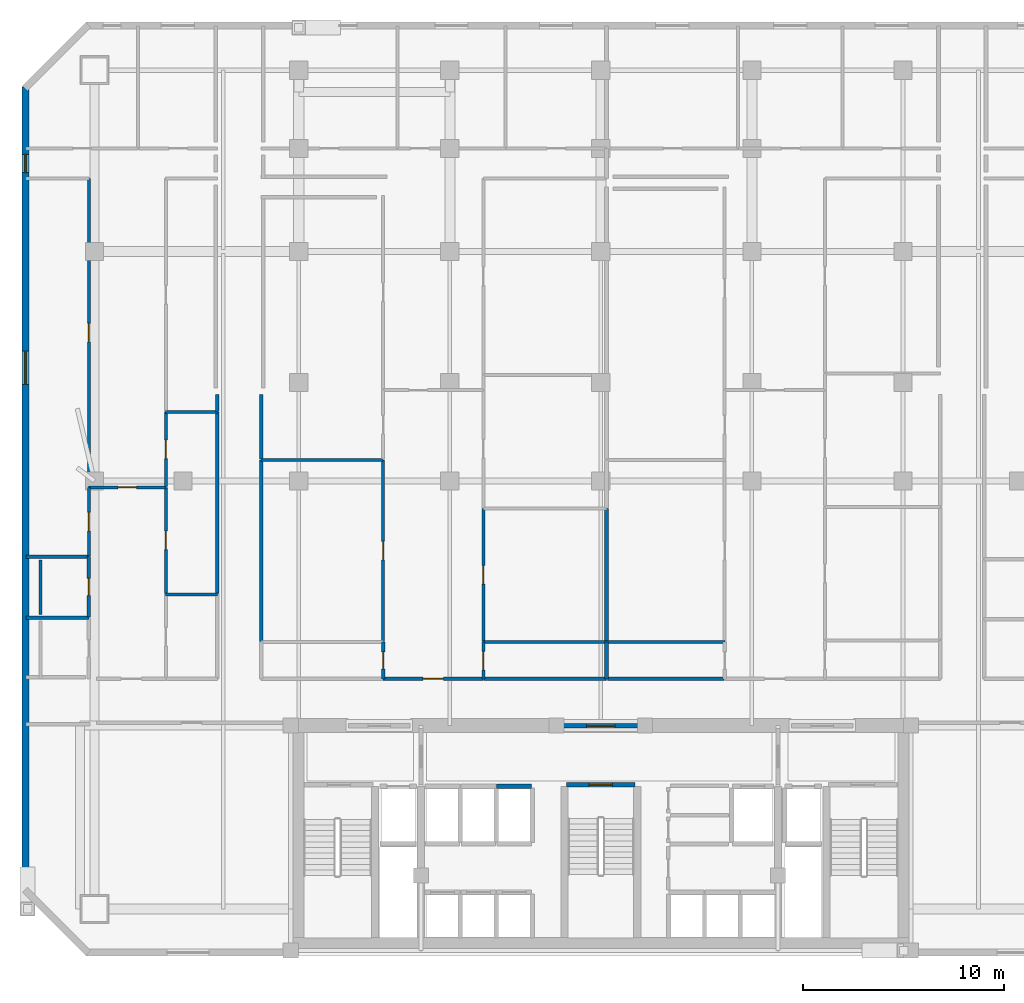
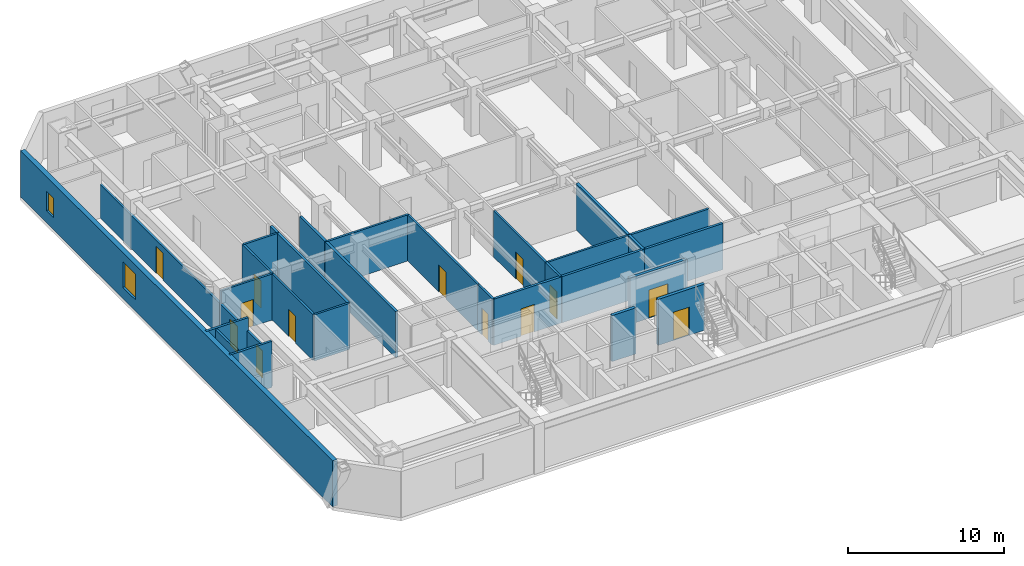
# One storey, part 4 of 10: 31 walls, 13 doors, 2 windows, 15 openings.
"""IFC4 building model written with IfcOpenShell, lengths in metres."""

from ifc_helpers import new_model, si_unit, direction, frame, frame_2d, origin, place, context, subcontext, project, spatial, rectangle, extrude, material, layer, layer_set, type_object, element, fill, save


model = new_model("IFC4")

# Units and contexts
model_context = context("Model", 3, precision=1e-05, world=origin(), true_north=direction((0.0, 1.0)))
body_context = subcontext(model_context, "Body", "Model", "MODEL_VIEW")
ifc_project = project(units=[si_unit("LENGTHUNIT", "METRE"), si_unit("AREAUNIT", "SQUARE_METRE"), si_unit("VOLUMEUNIT", "CUBIC_METRE"), si_unit("PLANEANGLEUNIT", "RADIAN"), si_unit("MASSUNIT", "GRAM", prefix="KILO")], contexts=[model_context])

# Site, building, storey
site_placement = place(None, origin())
site = spatial("IfcSite", under=ifc_project, at=site_placement, CompositionType="ELEMENT")
building_placement = place(site_placement, origin())
building = spatial("IfcBuilding", under=site, at=building_placement, Name="Ventersveld Concourse Tower", CompositionType="ELEMENT")
storey_placement = place(building_placement, frame((0.0, 0.0, 88.75)))
storey = spatial("IfcBuildingStorey", under=building, at=storey_placement, Name="L21", CompositionType="ELEMENT", Elevation=88.75)

# Walls
ifc_material_1 = material(Name="Fire-rated autoclaved aerated masonry blockwork", Category="masonry")
ifc_layer_1 = layer(ifc_material_1, 0.179931640625)
ifc_layer_set_1 = layer_set([ifc_layer_1], Name="Fire-rated autoclaved aerated masonry blockwork")
wall_type_1 = type_object("IfcWallType", Name="WL-CORR-180", PredefinedType="PARTITIONING", material=ifc_layer_set_1)
wall_1_placement = place(storey_placement, frame((9.7099609375, 18.009765625, 0.0), z_axis=(0.0, 0.0, 1.0), x_axis=(0.0, 1.0, 0.0)))
element("IfcWall", 1, at=wall_1_placement, inside=storey, type_object=wall_type_1, Name="L21 Interior Partition SP-L21-COR-SP-L21-21NW-DENR", PredefinedType="PARTITIONING", context=body_context, shape_type="SweptSolid", body=[
    extrude(rectangle(XDim=9.024169921875, YDim=0.179931640625, at=frame_2d((4.51220703125, 0.0))), origin(), (0.0, 0.0, 1.0), 3.60009765625),
])
wall_2_placement = place(storey_placement, frame((9.7099609375, 27.06396484375, 0.0), z_axis=(0.0, 0.0, 1.0), x_axis=(0.0, 1.0, 0.0)))
element("IfcWall", 2, at=wall_2_placement, inside=storey, type_object=wall_type_1, Name="L21 Interior Partition SP-L21-COR-SP-L21-21NW-DENS", PredefinedType="PARTITIONING", context=body_context, shape_type="SweptSolid", body=[
    extrude(rectangle(XDim=0.8310546875, YDim=0.179931640625, at=frame_2d((0.41552734375, 0.0))), origin(), (0.0, 0.0, 1.0), 3.60009765625),
])

# Wall, opening, door
wall_3_placement = place(storey_placement, frame((17.93310546875, 13.77001953125, 0.0), z_axis=(0.0, 0.0, 1.0), x_axis=(1.0, 0.0, 0.0)))
wall_3 = element("IfcWall", 3, at=wall_3_placement, inside=storey, type_object=wall_type_1, Name="L21 Interior Partition SP-L21-COR-SP-L21-21N1-FOY", PredefinedType="PARTITIONING", context=body_context, shape_type="SweptSolid", body=[
    extrude(rectangle(XDim=4.989990234375, YDim=0.179931640625, at=frame_2d((2.4951171875, 0.0))), origin(), (0.0, 0.0, 1.0), 3.60009765625),
])
opening_1_placement = place(wall_3_placement, frame((1.9951171875, 0.0, 0.0)))
opening_1 = element("IfcOpeningElement", 4, at=opening_1_placement, cuts=wall_3, Name="Opening FD3", PredefinedType="OPENING", context=body_context, shape_type="SweptSolid", body=[
    extrude(rectangle(XDim=1.0, YDim=2.14990234375, at=frame_2d((0.5, 1.074951171875))), frame((0.0, 0.10009765625, 0.0), z_axis=(0.0, -1.0, 0.0), x_axis=(1.0, 0.0, 0.0)), (0.0, 0.0, 1.0), 0.199951171875),
])
ifc_material_2 = material(Name="Solid-core hardwood veneer timber", Category="wood")
door_type_1 = type_object("IfcDoorType", Name="DR-FLAT-100", OperationType="NOTDEFINED", PredefinedType="DOOR", material=ifc_material_2)
door_1_placement = place(opening_1_placement, origin())
door_1 = element("IfcDoor", 5, at=door_1_placement, inside=storey, type_object=door_type_1, Name="L21 Interior Door SP-L21-COR to SP-L21-21N1-FOY (FD-L21-1012)", OperationType="SINGLE_SWING_RIGHT", OverallHeight=2.14990234375, OverallWidth=1.0, PredefinedType="DOOR", context=body_context, shape_type="SweptSolid", body=[
    extrude(rectangle(XDim=1.0, YDim=2.14990234375, at=frame_2d((0.5, 1.074951171875))), frame((0.0, 0.02490234375, 0.0), z_axis=(0.0, -1.0, 0.0), x_axis=(1.0, 0.0, 0.0)), (0.0, 0.0, 1.0), 0.050048828125),
])
fill(opening_1, door_1)

# Walls
wall_4_placement = place(storey_placement, frame((11.889892578125, 15.635009765625, 0.0), z_axis=(0.0, 0.0, 1.0), x_axis=(0.0, 1.0, 0.0)))
element("IfcWall", 6, at=wall_4_placement, inside=storey, type_object=wall_type_1, Name="L21 Interior Partition SP-L21-COR-SP-L21-21N1-DENL", PredefinedType="PARTITIONING", context=body_context, shape_type="SweptSolid", body=[
    extrude(rectangle(XDim=9.019775390625, YDim=0.179931640625, at=frame_2d((4.509765625, 0.0))), origin(), (0.0, 0.0, 1.0), 3.60009765625),
])
wall_5_placement = place(storey_placement, frame((11.889892578125, 24.684814453125, 0.0), z_axis=(0.0, 0.0, 1.0), x_axis=(0.0, 1.0, 0.0)))
element("IfcWall", 7, at=wall_5_placement, inside=storey, type_object=wall_type_1, Name="L21 Interior Partition SP-L21-COR-SP-L21-21N1-DENL2", PredefinedType="PARTITIONING", context=body_context, shape_type="SweptSolid", body=[
    extrude(rectangle(XDim=3.210205078125, YDim=0.179931640625, at=frame_2d((1.60498046875, 0.0))), origin(), (0.0, 0.0, 1.0), 3.60009765625),
])
wall_6_placement = place(storey_placement, frame((22.953125, 13.77001953125, 0.0), z_axis=(0.0, 0.0, 1.0), x_axis=(1.0, 0.0, 0.0)))
element("IfcWall", 8, at=wall_6_placement, inside=storey, type_object=wall_type_1, Name="L21 Interior Partition SP-L21-COR-SP-L21-21N1-KIT", PredefinedType="PARTITIONING", context=body_context, shape_type="SweptSolid", body=[
    extrude(rectangle(XDim=6.0888671875, YDim=0.179931640625, at=frame_2d((3.04443359375, 0.0))), origin(), (0.0, 0.0, 1.0), 3.60009765625),
])
wall_7_placement = place(storey_placement, frame((29.072021484375, 13.77001953125, 0.0), z_axis=(0.0, 0.0, 1.0), x_axis=(1.0, 0.0, 0.0)))
element("IfcWall", 9, at=wall_7_placement, inside=storey, type_object=wall_type_1, Name="L21 Interior Partition SP-L21-COR-SP-L21-21N2-BATH", PredefinedType="PARTITIONING", context=body_context, shape_type="SweptSolid", body=[
    extrude(rectangle(XDim=5.794677734375, YDim=0.179931640625, at=frame_2d((2.8974609375, 0.0))), origin(), (0.0, 0.0, 1.0), 3.60009765625),
])
ifc_layer_2 = layer(ifc_material_1, 0.199951171875)
ifc_layer_set_2 = layer_set([ifc_layer_2], Name="Fire-rated autoclaved aerated masonry blockwork")
wall_type_2 = type_object("IfcWallType", Name="WL-DEMISE-200", PredefinedType="PARTITIONING", material=ifc_layer_set_2)
wall_8_placement = place(storey_placement, frame((29.036865234375, 13.764892578125, 0.0), z_axis=(0.0, 0.0, 1.0), x_axis=(0.0, 1.0, 0.0)))
element("IfcWall", 10, at=wall_8_placement, inside=storey, type_object=wall_type_2, Name="L21 Interior Partition SP-L21-21N1-KIT-SP-L21-21N2-BATH", PredefinedType="PARTITIONING", context=body_context, shape_type="SweptSolid", body=[
    extrude(rectangle(XDim=1.840087890625, YDim=0.199951171875, at=frame_2d((0.919921875, 0.0))), origin(), (0.0, 0.0, 1.0), 3.60009765625),
])
wall_9_placement = place(storey_placement, frame((29.036865234375, 15.635009765625, 0.0), z_axis=(0.0, 0.0, 1.0), x_axis=(0.0, 1.0, 0.0)))
element("IfcWall", 11, at=wall_9_placement, inside=storey, type_object=wall_type_2, Name="L21 Interior Partition SP-L21-21N1-DENR-SP-L21-21N2-DENL", PredefinedType="PARTITIONING", context=body_context, shape_type="SweptSolid", body=[
    extrude(rectangle(XDim=6.602783203125, YDim=0.199951171875, at=frame_2d((3.30126953125, 0.0))), origin(), (0.0, 0.0, 1.0), 3.60009765625),
])
ifc_layer_3 = layer(ifc_material_1, 0.219970703125)
ifc_layer_set_3 = layer_set([ifc_layer_3], Name="Fire-rated autoclaved aerated masonry blockwork")
wall_type_3 = type_object("IfcWallType", Name="WL-HOIST-220", PredefinedType="SOLIDWALL", material=ifc_layer_set_3)
wall_10_placement = place(storey_placement, frame((23.580078125, 8.429931640625, 0.0), z_axis=(0.0, 0.0, 1.0), x_axis=(1.0, 0.0, 0.0)))
element("IfcWall", 12, at=wall_10_placement, inside=storey, type_object=wall_type_3, Name="L21 Lift Hoistway Front Wall PH-03", PredefinedType="SOLIDWALL", context=body_context, shape_type="SweptSolid", body=[
    extrude(rectangle(XDim=1.739990234375, YDim=0.219970703125, at=frame_2d((0.8701171875, 0.0))), origin(), (0.0, 0.0, 1.0), 3.60009765625),
])

# Wall, opening, door
wall_11_placement = place(storey_placement, frame((27.0400390625, 8.52001953125, 0.0), z_axis=(0.0, 0.0, 1.0), x_axis=(1.0, 0.0, 0.0)))
wall_11 = element("IfcWall", 13, at=wall_11_placement, inside=storey, type_object=wall_type_3, Name="L21 Escape Stair ST03 Fire Wall", PredefinedType="SOLIDWALL", context=body_context, shape_type="SweptSolid", body=[
    extrude(rectangle(XDim=3.419921875, YDim=0.219970703125, at=frame_2d((1.7099609375, 0.0))), origin(), (0.0, 0.0, 1.0), 3.60009765625),
])
opening_2_placement = place(wall_11_placement, frame((1.135009765625, 0.0, 0.0)))
opening_2 = element("IfcOpeningElement", 14, at=opening_2_placement, cuts=wall_11, Name="Opening FD1", PredefinedType="OPENING", context=body_context, shape_type="SweptSolid", body=[
    extrude(rectangle(XDim=1.14990234375, YDim=2.199951171875, at=frame_2d((0.574951171875, 1.10009765625))), frame((0.0, 0.1201171875, 0.0), z_axis=(0.0, -1.0, 0.0), x_axis=(1.0, 0.0, 0.0)), (0.0, 0.0, 1.0), 0.239990234375),
])
ifc_material_3 = material(Name="Galvanised painted steel", Category="steel")
door_type_2 = type_object("IfcDoorType", Name="DR-STAIR-115", OperationType="NOTDEFINED", PredefinedType="DOOR", material=ifc_material_3)
door_2_placement = place(opening_2_placement, origin())
door_2 = element("IfcDoor", 15, at=door_2_placement, inside=storey, type_object=door_type_2, Name="L21 Escape Stair Door ST03 (SD-L21-0999)", OperationType="SINGLE_SWING_LEFT", OverallHeight=2.199951171875, OverallWidth=1.14990234375, PredefinedType="DOOR", context=body_context, shape_type="SweptSolid", body=[
    extrude(rectangle(XDim=1.14990234375, YDim=2.199951171875, at=frame_2d((0.574951171875, 1.10009765625))), frame((0.0, 0.02490234375, 0.0), z_axis=(0.0, -1.0, 0.0), x_axis=(1.0, 0.0, 0.0)), (0.0, 0.0, 1.0), 0.050048828125),
])
fill(opening_2, door_2)

wall_12_placement = place(storey_placement, frame((26.6298828125, 11.449951171875, 0.0), z_axis=(0.0, 0.0, 1.0), x_axis=(1.0, 0.0, 0.0)))
wall_12 = element("IfcWall", 16, at=wall_12_placement, inside=storey, type_object=wall_type_3, Name="L21 Core North Fire Portal PLOB-OUT", PredefinedType="SOLIDWALL", context=body_context, shape_type="SweptSolid", body=[
    extrude(rectangle(XDim=4.240234375, YDim=0.219970703125, at=frame_2d((2.1201171875, 0.0))), origin(), (0.0, 0.0, 1.0), 3.60009765625),
])
opening_3_placement = place(wall_12_placement, frame((1.419921875, 0.0, 0.0)))
opening_3 = element("IfcOpeningElement", 17, at=opening_3_placement, cuts=wall_12, Name="Opening FD4", PredefinedType="OPENING", context=body_context, shape_type="SweptSolid", body=[
    extrude(rectangle(XDim=1.39990234375, YDim=2.199951171875, at=frame_2d((0.699951171875, 1.10009765625))), frame((0.0, 0.1201171875, 0.0), z_axis=(0.0, -1.0, 0.0), x_axis=(1.0, 0.0, 0.0)), (0.0, 0.0, 1.0), 0.239990234375),
])
door_type_3 = type_object("IfcDoorType", Name="DR-PLANT-140", OperationType="DOUBLE_DOOR_SINGLE_SWING", PredefinedType="DOOR", material=ifc_material_3)
door_3_placement = place(opening_3_placement, origin())
door_3 = element("IfcDoor", 18, at=door_3_placement, inside=storey, type_object=door_type_3, Name="L21 Core Lobby Fire Door PLOB-OUT (FD-L21-1003)", OperationType="DOUBLE_DOOR_SINGLE_SWING", OverallHeight=2.199951171875, OverallWidth=1.39990234375, PredefinedType="DOOR", context=body_context, shape_type="SweptSolid", body=[
    extrude(rectangle(XDim=1.39990234375, YDim=2.199951171875, at=frame_2d((0.699951171875, 1.10009765625))), frame((0.0, 0.02490234375, 0.0), z_axis=(0.0, -1.0, 0.0), x_axis=(1.0, 0.0, 0.0)), (0.0, 0.0, 1.0), 0.050048828125),
])
fill(opening_3, door_3)

ifc_material_4 = material(Name="Autoclaved aerated masonry blockwork", Category="masonry")
ifc_layer_4 = layer(ifc_material_4, 0.14990234375)
ifc_layer_set_4 = layer_set([ifc_layer_4], Name="Autoclaved aerated masonry blockwork")
wall_type_4 = type_object("IfcWallType", Name="WL-INT-150", PredefinedType="PARTITIONING", material=ifc_layer_set_4)
wall_13_placement = place(storey_placement, frame((3.31787109375, 23.2822265625, 0.0), z_axis=(0.0, 0.0, 1.0), x_axis=(1.0, 0.0, 0.0)))
wall_13 = element("IfcWall", 19, at=wall_13_placement, inside=storey, type_object=wall_type_4, Name="L21 Interior Partition SP-L21-21NW-FOY-SP-L21-21NW-LIV", PredefinedType="PARTITIONING", context=body_context, shape_type="SweptSolid", body=[
    extrude(rectangle(XDim=3.83203125, YDim=0.14990234375, at=frame_2d((1.916015625, 0.0))), origin(), (0.0, 0.0, 1.0), 3.60009765625),
])
opening_4_placement = place(wall_13_placement, frame((1.4560546875, 0.0, 0.0)))
opening_4 = element("IfcOpeningElement", 20, at=opening_4_placement, cuts=wall_13, Name="Opening ID1", PredefinedType="OPENING", context=body_context, shape_type="SweptSolid", body=[
    extrude(rectangle(XDim=0.919921875, YDim=2.10009765625, at=frame_2d((0.4599609375, 1.050048828125))), frame((0.0, 0.0849609375, 0.0), z_axis=(0.0, -1.0, 0.0), x_axis=(1.0, 0.0, 0.0)), (0.0, 0.0, 1.0), 0.169921875),
])
door_type_4 = type_object("IfcDoorType", Name="DR-ROOM-092", OperationType="NOTDEFINED", PredefinedType="DOOR", material=ifc_material_2)
door_4_placement = place(opening_4_placement, origin())
door_4 = element("IfcDoor", 21, at=door_4_placement, inside=storey, type_object=door_type_4, Name="L21 Interior Door SP-L21-21NW-FOY to SP-L21-21NW-LIV (D-L21-1014)", OperationType="SINGLE_SWING_RIGHT", OverallHeight=2.10009765625, OverallWidth=0.919921875, PredefinedType="DOOR", context=body_context, shape_type="SweptSolid", body=[
    extrude(rectangle(XDim=0.919921875, YDim=2.10009765625, at=frame_2d((0.4599609375, 1.050048828125))), frame((0.0, 0.02490234375, 0.0), z_axis=(0.0, -1.0, 0.0), x_axis=(1.0, 0.0, 0.0)), (0.0, 0.0, 1.0), 0.050048828125),
])
fill(opening_4, door_4)

wall_14_placement = place(storey_placement, frame((3.32275390625, 19.872314453125, 0.0), z_axis=(0.0, 0.0, 1.0), x_axis=(0.0, 1.0, 0.0)))
wall_14 = element("IfcWall", 22, at=wall_14_placement, inside=storey, type_object=wall_type_4, Name="L21 Interior Partition SP-L21-21NW-FOY-SP-L21-21NW-DENL", PredefinedType="PARTITIONING", context=body_context, shape_type="SweptSolid", body=[
    extrude(rectangle(XDim=3.414794921875, YDim=0.14990234375, at=frame_2d((1.70751953125, 0.0))), origin(), (0.0, 0.0, 1.0), 2.60009765625),
])
opening_5_placement = place(wall_14_placement, frame((1.247314453125, 0.0, 0.0)))
opening_5 = element("IfcOpeningElement", 23, at=opening_5_placement, cuts=wall_14, Name="Opening ID1", PredefinedType="OPENING", context=body_context, shape_type="SweptSolid", body=[
    extrude(rectangle(XDim=0.919921875, YDim=2.10009765625, at=frame_2d((0.4599609375, 1.050048828125))), frame((0.0, 0.0849609375, 0.0), z_axis=(0.0, -1.0, 0.0), x_axis=(1.0, 0.0, 0.0)), (0.0, 0.0, 1.0), 0.169921875),
])
door_5_placement = place(opening_5_placement, origin())
door_5 = element("IfcDoor", 24, at=door_5_placement, inside=storey, type_object=door_type_4, Name="L21 Interior Door SP-L21-21NW-FOY to SP-L21-21NW-DENL (D-L21-1017)", OperationType="SINGLE_SWING_LEFT", OverallHeight=2.10009765625, OverallWidth=0.919921875, PredefinedType="DOOR", context=body_context, shape_type="SweptSolid", body=[
    extrude(rectangle(XDim=0.919921875, YDim=2.10009765625, at=frame_2d((0.4599609375, 1.050048828125))), frame((0.0, 0.02490234375, 0.0), z_axis=(0.0, -1.0, 0.0), x_axis=(1.0, 0.0, 0.0)), (0.0, 0.0, 1.0), 0.050048828125),
])
fill(opening_5, door_5)

wall_15_placement = place(storey_placement, frame((7.144775390625, 18.009765625, 0.0), z_axis=(0.0, 0.0, 1.0), x_axis=(0.0, 1.0, 0.0)))
wall_15 = element("IfcWall", 25, at=wall_15_placement, inside=storey, type_object=wall_type_4, Name="L21 Interior Partition SP-L21-21NW-FOY-SP-L21-21NW-DENR", PredefinedType="PARTITIONING", context=body_context, shape_type="SweptSolid", body=[
    extrude(rectangle(XDim=5.27734375, YDim=0.14990234375, at=frame_2d((2.638671875, 0.0))), origin(), (0.0, 0.0, 1.0), 3.60009765625),
])
opening_6_placement = place(wall_15_placement, frame((2.1787109375, 0.0, 0.0)))
opening_6 = element("IfcOpeningElement", 26, at=opening_6_placement, cuts=wall_15, Name="Opening ID1", PredefinedType="OPENING", context=body_context, shape_type="SweptSolid", body=[
    extrude(rectangle(XDim=0.919921875, YDim=2.10009765625, at=frame_2d((0.4599609375, 1.050048828125))), frame((0.0, 0.0849609375, 0.0), z_axis=(0.0, -1.0, 0.0), x_axis=(1.0, 0.0, 0.0)), (0.0, 0.0, 1.0), 0.169921875),
])
door_6_placement = place(opening_6_placement, origin())
door_6 = element("IfcDoor", 27, at=door_6_placement, inside=storey, type_object=door_type_4, Name="L21 Interior Door SP-L21-21NW-FOY to SP-L21-21NW-DENR (D-L21-1019)", OperationType="SINGLE_SWING_LEFT", OverallHeight=2.10009765625, OverallWidth=0.919921875, PredefinedType="DOOR", context=body_context, shape_type="SweptSolid", body=[
    extrude(rectangle(XDim=0.919921875, YDim=2.10009765625, at=frame_2d((0.4599609375, 1.050048828125))), frame((0.0, 0.02490234375, 0.0), z_axis=(0.0, -1.0, 0.0), x_axis=(1.0, 0.0, 0.0)), (0.0, 0.0, 1.0), 0.050048828125),
])
fill(opening_6, door_6)

wall_16_placement = place(storey_placement, frame((3.32275390625, 23.317138671875, 0.0), z_axis=(0.0, 0.0, 1.0), x_axis=(0.0, 1.0, 0.0)))
wall_16 = element("IfcWall", 28, at=wall_16_placement, inside=storey, type_object=wall_type_4, Name="L21 Interior Partition SP-L21-21NW-LIV-SP-L21-21NW-DENL", PredefinedType="PARTITIONING", context=body_context, shape_type="SweptSolid", body=[
    extrude(rectangle(XDim=15.307861328125, YDim=0.14990234375, at=frame_2d((7.65380859375, 0.0))), origin(), (0.0, 0.0, 1.0), 2.60009765625),
])
opening_7_placement = place(wall_16_placement, frame((7.19384765625, 0.0, 0.0)))
opening_7 = element("IfcOpeningElement", 29, at=opening_7_placement, cuts=wall_16, Name="Opening ID1", PredefinedType="OPENING", context=body_context, shape_type="SweptSolid", body=[
    extrude(rectangle(XDim=0.919921875, YDim=2.10009765625, at=frame_2d((0.4599609375, 1.050048828125))), frame((0.0, 0.0849609375, 0.0), z_axis=(0.0, -1.0, 0.0), x_axis=(1.0, 0.0, 0.0)), (0.0, 0.0, 1.0), 0.169921875),
])
door_7_placement = place(opening_7_placement, origin())
door_7 = element("IfcDoor", 30, at=door_7_placement, inside=storey, type_object=door_type_4, Name="L21 Interior Door SP-L21-21NW-LIV to SP-L21-21NW-DENL (D-L21-1020)", OperationType="SINGLE_SWING_RIGHT", OverallHeight=2.10009765625, OverallWidth=0.919921875, PredefinedType="DOOR", context=body_context, shape_type="SweptSolid", body=[
    extrude(rectangle(XDim=0.919921875, YDim=2.10009765625, at=frame_2d((0.4599609375, 1.050048828125))), frame((0.0, 0.02490234375, 0.0), z_axis=(0.0, -1.0, 0.0), x_axis=(1.0, 0.0, 0.0)), (0.0, 0.0, 1.0), 0.050048828125),
])
fill(opening_7, door_7)

wall_17_placement = place(storey_placement, frame((7.144775390625, 23.317138671875, 0.0), z_axis=(0.0, 0.0, 1.0), x_axis=(0.0, 1.0, 0.0)))
wall_17 = element("IfcWall", 31, at=wall_17_placement, inside=storey, type_object=wall_type_4, Name="L21 Interior Partition SP-L21-21NW-LIV-SP-L21-21NW-DENR", PredefinedType="PARTITIONING", context=body_context, shape_type="SweptSolid", body=[
    extrude(rectangle(XDim=3.716796875, YDim=0.14990234375, at=frame_2d((1.8583984375, 0.0))), origin(), (0.0, 0.0, 1.0), 3.60009765625),
])
opening_8_placement = place(wall_17_placement, frame((1.3984375, 0.0, 0.0)))
opening_8 = element("IfcOpeningElement", 32, at=opening_8_placement, cuts=wall_17, Name="Opening ID1", PredefinedType="OPENING", context=body_context, shape_type="SweptSolid", body=[
    extrude(rectangle(XDim=0.919921875, YDim=2.10009765625, at=frame_2d((0.4599609375, 1.050048828125))), frame((0.0, 0.0849609375, 0.0), z_axis=(0.0, -1.0, 0.0), x_axis=(1.0, 0.0, 0.0)), (0.0, 0.0, 1.0), 0.169921875),
])
door_8_placement = place(opening_8_placement, origin())
door_8 = element("IfcDoor", 33, at=door_8_placement, inside=storey, type_object=door_type_4, Name="L21 Interior Door SP-L21-21NW-LIV to SP-L21-21NW-DENR (D-L21-1021)", OperationType="SINGLE_SWING_LEFT", OverallHeight=2.10009765625, OverallWidth=0.919921875, PredefinedType="DOOR", context=body_context, shape_type="SweptSolid", body=[
    extrude(rectangle(XDim=0.919921875, YDim=2.10009765625, at=frame_2d((0.4599609375, 1.050048828125))), frame((0.0, 0.02490234375, 0.0), z_axis=(0.0, -1.0, 0.0), x_axis=(1.0, 0.0, 0.0)), (0.0, 0.0, 1.0), 0.050048828125),
])
fill(opening_8, door_8)

# Walls
for number, where, z_axis, x_axis, name in (
    (34, (7.139892578125, 17.974853515625, 0.0), (0.0, 0.0, 1.0), (1.0, 0.0, 0.0), "L21 Interior Partition SP-L21-21NW-KIT-SP-L21-21NW-DENR"),
    (35, (7.139892578125, 27.029052734375, 0.0), (0.0, 0.0, 1.0), (1.0, 0.0, 0.0), "L21 Interior Partition SP-L21-21NW-DENR-SP-L21-21NW-DENS"),
):
    element("IfcWall", number, at=place(storey_placement, frame(where, z_axis=z_axis, x_axis=x_axis)), inside=storey, type_object=wall_type_4, Name=name, PredefinedType="PARTITIONING", context=body_context, shape_type="SweptSolid", body=[
        extrude(rectangle(XDim=2.5751953125, YDim=0.14990234375, at=frame_2d((1.28759765625, 0.0))), origin(), (0.0, 0.0, 1.0), 3.60009765625),
    ])

# Wall, opening, door
wall_18_placement = place(storey_placement, frame((17.938232421875, 15.635009765625, 0.0), z_axis=(0.0, 0.0, 1.0), x_axis=(0.0, 1.0, 0.0)))
wall_18 = element("IfcWall", 36, at=wall_18_placement, inside=storey, type_object=wall_type_4, Name="L21 Interior Partition SP-L21-21N1-FOY-SP-L21-21N1-DENL", PredefinedType="PARTITIONING", context=body_context, shape_type="SweptSolid", body=[
    extrude(rectangle(XDim=9.019775390625, YDim=0.14990234375, at=frame_2d((4.509765625, 0.0))), origin(), (0.0, 0.0, 1.0), 3.60009765625),
])
opening_9_placement = place(wall_18_placement, frame((4.050048828125, 0.0, 0.0)))
opening_9 = element("IfcOpeningElement", 37, at=opening_9_placement, cuts=wall_18, Name="Opening ID1", PredefinedType="OPENING", context=body_context, shape_type="SweptSolid", body=[
    extrude(rectangle(XDim=0.919921875, YDim=2.10009765625, at=frame_2d((0.4599609375, 1.050048828125))), frame((0.0, 0.0849609375, 0.0), z_axis=(0.0, -1.0, 0.0), x_axis=(1.0, 0.0, 0.0)), (0.0, 0.0, 1.0), 0.169921875),
])
door_9_placement = place(opening_9_placement, origin())
door_9 = element("IfcDoor", 38, at=door_9_placement, inside=storey, type_object=door_type_4, Name="L21 Interior Door SP-L21-21N1-FOY to SP-L21-21N1-DENL (D-L21-1037)", OperationType="SINGLE_SWING_LEFT", OverallHeight=2.10009765625, OverallWidth=0.919921875, PredefinedType="DOOR", context=body_context, shape_type="SweptSolid", body=[
    extrude(rectangle(XDim=0.919921875, YDim=2.10009765625, at=frame_2d((0.4599609375, 1.050048828125))), frame((0.0, 0.02490234375, 0.0), z_axis=(0.0, -1.0, 0.0), x_axis=(1.0, 0.0, 0.0)), (0.0, 0.0, 1.0), 0.050048828125),
])
fill(opening_9, door_9)

wall_19_placement = place(storey_placement, frame((22.918212890625, 13.764892578125, 0.0), z_axis=(0.0, 0.0, 1.0), x_axis=(0.0, 1.0, 0.0)))
wall_19 = element("IfcWall", 39, at=wall_19_placement, inside=storey, type_object=wall_type_4, Name="L21 Interior Partition SP-L21-21N1-FOY-SP-L21-21N1-KIT", PredefinedType="PARTITIONING", context=body_context, shape_type="SweptSolid", body=[
    extrude(rectangle(XDim=1.840087890625, YDim=0.14990234375, at=frame_2d((0.919921875, 0.0))), origin(), (0.0, 0.0, 1.0), 3.60009765625),
])
opening_10_placement = place(wall_19_placement, frame((0.4599609375, 0.0, 0.0)))
opening_10 = element("IfcOpeningElement", 40, at=opening_10_placement, cuts=wall_19, Name="Opening ID1", PredefinedType="OPENING", context=body_context, shape_type="SweptSolid", body=[
    extrude(rectangle(XDim=0.919921875, YDim=2.10009765625, at=frame_2d((0.4599609375, 1.050048828125))), frame((0.0, 0.0849609375, 0.0), z_axis=(0.0, -1.0, 0.0), x_axis=(1.0, 0.0, 0.0)), (0.0, 0.0, 1.0), 0.169921875),
])
door_10_placement = place(opening_10_placement, origin())
door_10 = element("IfcDoor", 41, at=door_10_placement, inside=storey, type_object=door_type_4, Name="L21 Interior Door SP-L21-21N1-FOY to SP-L21-21N1-KIT (D-L21-1039)", OperationType="SINGLE_SWING_LEFT", OverallHeight=2.10009765625, OverallWidth=0.919921875, PredefinedType="DOOR", context=body_context, shape_type="SweptSolid", body=[
    extrude(rectangle(XDim=0.919921875, YDim=2.10009765625, at=frame_2d((0.4599609375, 1.050048828125))), frame((0.0, 0.02490234375, 0.0), z_axis=(0.0, -1.0, 0.0), x_axis=(1.0, 0.0, 0.0)), (0.0, 0.0, 1.0), 0.050048828125),
])
fill(opening_10, door_10)

wall_20_placement = place(storey_placement, frame((22.918212890625, 15.635009765625, 0.0), z_axis=(0.0, 0.0, 1.0), x_axis=(0.0, 1.0, 0.0)))
wall_20 = element("IfcWall", 42, at=wall_20_placement, inside=storey, type_object=wall_type_4, Name="L21 Interior Partition SP-L21-21N1-FOY-SP-L21-21N1-DENR", PredefinedType="PARTITIONING", context=body_context, shape_type="SweptSolid", body=[
    extrude(rectangle(XDim=6.602783203125, YDim=0.14990234375, at=frame_2d((3.30126953125, 0.0))), origin(), (0.0, 0.0, 1.0), 3.60009765625),
])
opening_11_placement = place(wall_20_placement, frame((2.841552734375, 0.0, 0.0)))
opening_11 = element("IfcOpeningElement", 43, at=opening_11_placement, cuts=wall_20, Name="Opening ID1", PredefinedType="OPENING", context=body_context, shape_type="SweptSolid", body=[
    extrude(rectangle(XDim=0.919921875, YDim=2.10009765625, at=frame_2d((0.4599609375, 1.050048828125))), frame((0.0, 0.0849609375, 0.0), z_axis=(0.0, -1.0, 0.0), x_axis=(1.0, 0.0, 0.0)), (0.0, 0.0, 1.0), 0.169921875),
])
door_11_placement = place(opening_11_placement, origin())
door_11 = element("IfcDoor", 44, at=door_11_placement, inside=storey, type_object=door_type_4, Name="L21 Interior Door SP-L21-21N1-FOY to SP-L21-21N1-DENR (D-L21-1040)", OperationType="SINGLE_SWING_RIGHT", OverallHeight=2.10009765625, OverallWidth=0.919921875, PredefinedType="DOOR", context=body_context, shape_type="SweptSolid", body=[
    extrude(rectangle(XDim=0.919921875, YDim=2.10009765625, at=frame_2d((0.4599609375, 1.050048828125))), frame((0.0, 0.02490234375, 0.0), z_axis=(0.0, -1.0, 0.0), x_axis=(1.0, 0.0, 0.0)), (0.0, 0.0, 1.0), 0.050048828125),
])
fill(opening_11, door_11)

# Walls
wall_21_placement = place(storey_placement, frame((11.885009765625, 24.64990234375, 0.0), z_axis=(0.0, 0.0, 1.0), x_axis=(1.0, 0.0, 0.0)))
element("IfcWall", 45, at=wall_21_placement, inside=storey, type_object=wall_type_4, Name="L21 Interior Partition SP-L21-21N1-DENL-SP-L21-21N1-DENL2", PredefinedType="PARTITIONING", context=body_context, shape_type="SweptSolid", body=[
    extrude(rectangle(XDim=6.05810546875, YDim=0.14990234375, at=frame_2d((3.029052734375, 0.0))), origin(), (0.0, 0.0, 1.0), 3.60009765625),
])
wall_22_placement = place(storey_placement, frame((22.9130859375, 15.60009765625, 0.0), z_axis=(0.0, 0.0, 1.0), x_axis=(1.0, 0.0, 0.0)))
element("IfcWall", 46, at=wall_22_placement, inside=storey, type_object=wall_type_4, Name="L21 Interior Partition SP-L21-21N1-KIT-SP-L21-21N1-DENR", PredefinedType="PARTITIONING", context=body_context, shape_type="SweptSolid", body=[
    extrude(rectangle(XDim=6.12890625, YDim=0.14990234375, at=frame_2d((3.064453125, 0.0))), origin(), (0.0, 0.0, 1.0), 3.60009765625),
])

# Wall, openings, windows
ifc_material_5 = material(Name="Precast concrete C45/55", Category="concrete")
ifc_layer_5 = layer(ifc_material_5, 0.35009765625)
ifc_layer_set_5 = layer_set([ifc_layer_5], Name="Precast concrete C45/55")
wall_type_5 = type_object("IfcWallType", Name="WL-PREC-350", PredefinedType="SOLIDWALL", material=ifc_layer_set_5)
wall_23_placement = place(storey_placement, frame((0.175048828125, 43.159912109375, 0.0), z_axis=(0.0, 0.0, 1.0), x_axis=(0.0, -1.0, 0.0)))
wall_23 = element("IfcWall", 47, at=wall_23_placement, inside=storey, type_object=wall_type_5, Name="L21 Highveld Precast Facade Wall E07", PredefinedType="SOLIDWALL", context=body_context, shape_type="SweptSolid", body=[
    extrude(rectangle(XDim=39.919921875, YDim=0.35009765625, at=frame_2d((19.9599609375, 0.0))), origin(), (0.0, 0.0, 1.0), 3.60009765625),
])
opening_12_placement = place(wall_23_placement, frame((3.340087890625, 0.0, 0.949951171875)))
opening_12 = element("IfcOpeningElement", 48, at=opening_12_placement, cuts=wall_23, Name="Opening W4", PredefinedType="OPENING", context=body_context, shape_type="SweptSolid", body=[
    extrude(rectangle(XDim=0.89990234375, YDim=1.5, at=frame_2d((0.449951171875, 0.75))), frame((0.0, 0.18505859375, 0.0), z_axis=(0.0, -1.0, 0.0), x_axis=(1.0, 0.0, 0.0)), (0.0, 0.0, 1.0), 0.3701171875),
])
opening_13_placement = place(wall_23_placement, frame((13.106201171875, 0.0, 0.8798828125)))
opening_13 = element("IfcOpeningElement", 49, at=opening_13_placement, cuts=wall_23, Name="Opening W6", PredefinedType="OPENING", context=body_context, shape_type="SweptSolid", body=[
    extrude(rectangle(XDim=1.64990234375, YDim=2.0, at=frame_2d((0.824951171875, 1.0))), frame((0.0, 0.18505859375, 0.0), z_axis=(0.0, -1.0, 0.0), x_axis=(1.0, 0.0, 0.0)), (0.0, 0.0, 1.0), 0.3701171875),
])
ifc_material_6 = material(Name="Tempered acoustic Low-E IGU", Category="glass")
window_type_1 = type_object("IfcWindowType", Name="WIN-090x150", PartitioningType="SINGLE_PANEL", PredefinedType="WINDOW", material=ifc_material_6)
window_1_placement = place(opening_12_placement, origin())
window_1 = element("IfcWindow", 50, at=window_1_placement, inside=storey, type_object=window_type_1, Name="L21 Punched Low-E Window W-0226", OverallHeight=1.5, OverallWidth=0.89990234375, PartitioningType="SINGLE_PANEL", PredefinedType="WINDOW", context=body_context, shape_type="SweptSolid", body=[
    extrude(rectangle(XDim=0.89990234375, YDim=1.5, at=frame_2d((0.449951171875, 0.75))), frame((0.0, 0.030029296875, 0.0), z_axis=(0.0, -1.0, 0.0), x_axis=(1.0, 0.0, 0.0)), (0.0, 0.0, 1.0), 0.06005859375),
])
fill(opening_12, window_1)
window_type_2 = type_object("IfcWindowType", Name="WIN-165x200", PartitioningType="SINGLE_PANEL", PredefinedType="WINDOW", material=ifc_material_6)
window_2_placement = place(opening_13_placement, origin())
window_2 = element("IfcWindow", 51, at=window_2_placement, inside=storey, type_object=window_type_2, Name="L21 Punched Low-E Window W-0227", OverallHeight=2.0, OverallWidth=1.64990234375, PartitioningType="SINGLE_PANEL", PredefinedType="WINDOW", context=body_context, shape_type="SweptSolid", body=[
    extrude(rectangle(XDim=1.64990234375, YDim=2.0, at=frame_2d((0.824951171875, 1.0))), frame((0.0, 0.030029296875, 0.0), z_axis=(0.0, -1.0, 0.0), x_axis=(1.0, 0.0, 0.0)), (0.0, 0.0, 1.0), 0.06005859375),
])
fill(opening_13, window_2)

# Wall, opening, door
ifc_layer_6 = layer(ifc_material_4, 0.1650390625)
ifc_layer_set_6 = layer_set([ifc_layer_6], Name="Autoclaved aerated masonry blockwork")
wall_type_6 = type_object("IfcWallType", Name="WL-WET-165", PredefinedType="PLUMBINGWALL", material=ifc_layer_set_6)
wall_24_placement = place(storey_placement, frame((3.32275390625, 16.838623046875, 0.0), z_axis=(0.0, 0.0, 1.0), x_axis=(0.0, 1.0, 0.0)))
wall_24 = element("IfcWall", 52, at=wall_24_placement, inside=storey, type_object=wall_type_6, Name="L21 Interior Partition SP-L21-21NW-FOY-SP-L21-21NW-PWDL0", PredefinedType="PLUMBINGWALL", context=body_context, shape_type="SweptSolid", body=[
    extrude(rectangle(XDim=3.003662109375, YDim=0.1650390625, at=frame_2d((1.501953125, 0.0))), origin(), (0.0, 0.0, 1.0), 2.60009765625),
])
opening_14_placement = place(wall_24_placement, frame((1.076904296875, 0.0, 0.0)))
opening_14 = element("IfcOpeningElement", 53, at=opening_14_placement, cuts=wall_24, Name="Opening ID2", PredefinedType="OPENING", context=body_context, shape_type="SweptSolid", body=[
    extrude(rectangle(XDim=0.85009765625, YDim=2.10009765625, at=frame_2d((0.425048828125, 1.050048828125))), frame((0.0, 0.092529296875, 0.0), z_axis=(0.0, -1.0, 0.0), x_axis=(1.0, 0.0, 0.0)), (0.0, 0.0, 1.0), 0.18505859375),
])
door_type_5 = type_object("IfcDoorType", Name="DR-BATH-085", OperationType="NOTDEFINED", PredefinedType="DOOR", material=ifc_material_2)
door_12_placement = place(opening_14_placement, origin())
door_12 = element("IfcDoor", 54, at=door_12_placement, inside=storey, type_object=door_type_5, Name="L21 Interior Door SP-L21-21NW-FOY to SP-L21-21NW-PWDL0 (D-L21-1016)", OperationType="SINGLE_SWING_RIGHT", OverallHeight=2.10009765625, OverallWidth=0.85009765625, PredefinedType="DOOR", context=body_context, shape_type="SweptSolid", body=[
    extrude(rectangle(XDim=0.85009765625, YDim=2.10009765625, at=frame_2d((0.425048828125, 1.050048828125))), frame((0.0, 0.02490234375, 0.0), z_axis=(0.0, -1.0, 0.0), x_axis=(1.0, 0.0, 0.0)), (0.0, 0.0, 1.0), 0.050048828125),
])
fill(opening_14, door_12)

# Walls
for number, where, z_axis, x_axis, name in (
    (55, (0.2099609375, 16.8037109375, 0.0), (0.0, 0.0, 1.0), (1.0, 0.0, 0.0), "L21 Interior Partition SP-L21-21NW-BATH-SP-L21-21NW-PWDL0"),
    (56, (0.2099609375, 19.83740234375, 0.0), (0.0, 0.0, 1.0), (1.0, 0.0, 0.0), "L21 Interior Partition SP-L21-21NW-PWDL0-SP-L21-21NW-DENL"),
):
    element("IfcWall", number, at=place(storey_placement, frame(where, z_axis=z_axis, x_axis=x_axis)), inside=storey, type_object=wall_type_6, Name=name, PredefinedType="PLUMBINGWALL", context=body_context, shape_type="SweptSolid", body=[
        extrude(rectangle(XDim=3.117919921875, YDim=0.1650390625, at=frame_2d((1.55908203125, 0.0))), origin(), (0.0, 0.0, 1.0), 3.60009765625),
    ])

# Wall, opening, door
wall_25_placement = place(storey_placement, frame((17.938232421875, 13.764892578125, 0.0), z_axis=(0.0, 0.0, 1.0), x_axis=(0.0, 1.0, 0.0)))
wall_25 = element("IfcWall", 57, at=wall_25_placement, inside=storey, type_object=wall_type_6, Name="L21 Interior Partition SP-L21-21N1-FOY-SP-L21-21N1-BATH", PredefinedType="PLUMBINGWALL", context=body_context, shape_type="SweptSolid", body=[
    extrude(rectangle(XDim=1.840087890625, YDim=0.1650390625, at=frame_2d((0.919921875, 0.0))), origin(), (0.0, 0.0, 1.0), 3.60009765625),
])
opening_15_placement = place(wall_25_placement, frame((0.4951171875, 0.0, 0.0)))
opening_15 = element("IfcOpeningElement", 58, at=opening_15_placement, cuts=wall_25, Name="Opening ID2", PredefinedType="OPENING", context=body_context, shape_type="SweptSolid", body=[
    extrude(rectangle(XDim=0.85009765625, YDim=2.10009765625, at=frame_2d((0.425048828125, 1.050048828125))), frame((0.0, 0.092529296875, 0.0), z_axis=(0.0, -1.0, 0.0), x_axis=(1.0, 0.0, 0.0)), (0.0, 0.0, 1.0), 0.18505859375),
])
door_13_placement = place(opening_15_placement, origin())
door_13 = element("IfcDoor", 59, at=door_13_placement, inside=storey, type_object=door_type_5, Name="L21 Interior Door SP-L21-21N1-FOY to SP-L21-21N1-BATH (D-L21-1036)", OperationType="SINGLE_SWING_RIGHT", OverallHeight=2.10009765625, OverallWidth=0.85009765625, PredefinedType="DOOR", context=body_context, shape_type="SweptSolid", body=[
    extrude(rectangle(XDim=0.85009765625, YDim=2.10009765625, at=frame_2d((0.425048828125, 1.050048828125))), frame((0.0, 0.02490234375, 0.0), z_axis=(0.0, -1.0, 0.0), x_axis=(1.0, 0.0, 0.0)), (0.0, 0.0, 1.0), 0.050048828125),
])
fill(opening_15, door_13)

# Walls
wall_26_placement = place(storey_placement, frame((29.072021484375, 15.60009765625, 0.0), z_axis=(0.0, 0.0, 1.0), x_axis=(1.0, 0.0, 0.0)))
element("IfcWall", 60, at=wall_26_placement, inside=storey, type_object=wall_type_6, Name="L21 Interior Partition SP-L21-21N2-BATH-SP-L21-21N2-DENL", PredefinedType="PLUMBINGWALL", context=body_context, shape_type="SweptSolid", body=[
    extrude(rectangle(XDim=5.83447265625, YDim=0.1650390625, at=frame_2d((2.917236328125, 0.0))), origin(), (0.0, 0.0, 1.0), 3.60009765625),
])
wall_27_placement = place(storey_placement, frame((0.919921875, 16.96875, 0.0), z_axis=(0.0, 0.0, 1.0), x_axis=(0.0, 1.0, 0.0)))
element("IfcWall", 61, at=wall_27_placement, inside=storey, type_object=wall_type_6, Name="L21 Room Enclosure Wall SP-L21-21NW-PWDL0", PredefinedType="PLUMBINGWALL", context=body_context, shape_type="SweptSolid", body=[
    extrude(rectangle(XDim=2.70361328125, YDim=0.1650390625, at=frame_2d((1.351806640625, 0.0))), origin(), (0.0, 0.0, 1.0), 3.60009765625),
])

save(model, "model.ifc")
